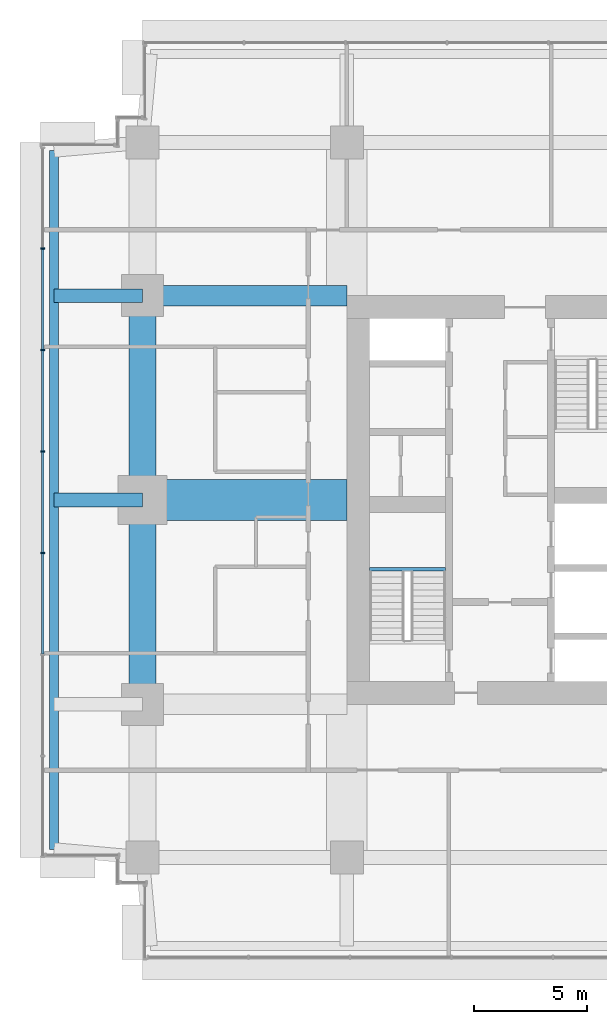
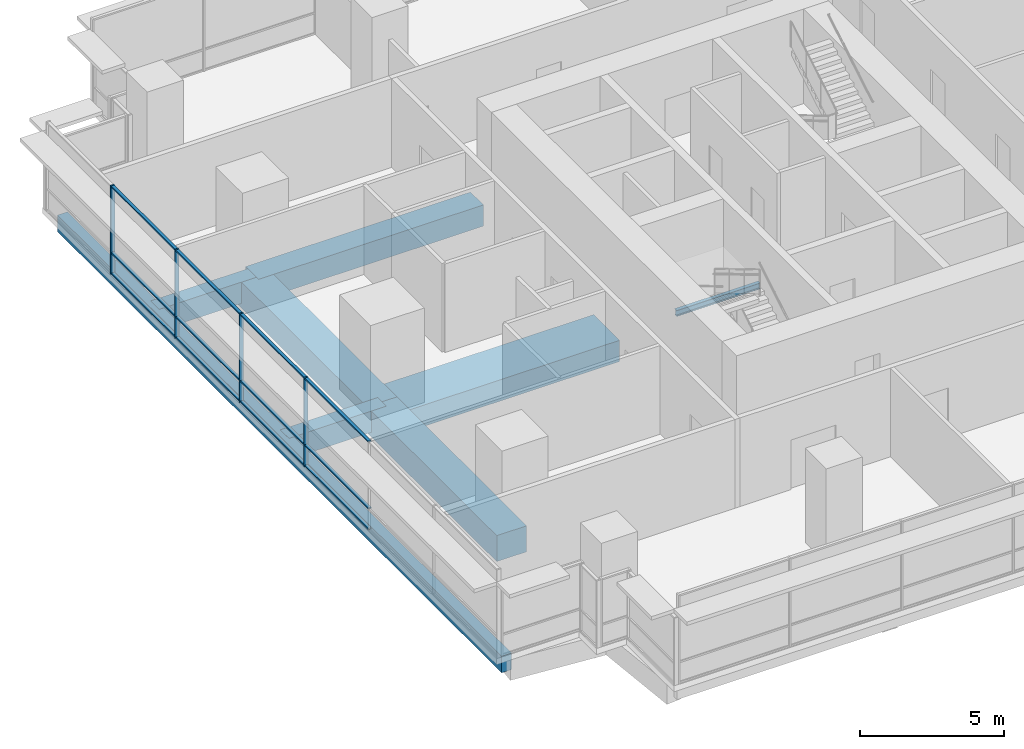
# One storey, part 4 of 14: 16 members, 8 beams, 1 element without a shape of its own.
"""IFC4 building model written with IfcOpenShell, lengths in metres."""

from ifc_helpers import new_model, si_unit, direction, frame, origin, origin_2d, place, context, subcontext, project, spatial, rectangle, i_section, extrude, material, layer, layer_set, material_profile, profile_set, type_object, element, aggregate, save


model = new_model("IFC4")

# Units and contexts
model_context = context("Model", 3, precision=1e-05, world=origin(), true_north=direction((0.0, 1.0)))
body_context = subcontext(model_context, "Body", "Model", "MODEL_VIEW")
ifc_project = project(units=[si_unit("LENGTHUNIT", "METRE"), si_unit("AREAUNIT", "SQUARE_METRE"), si_unit("VOLUMEUNIT", "CUBIC_METRE"), si_unit("PLANEANGLEUNIT", "RADIAN"), si_unit("MASSUNIT", "GRAM", prefix="KILO")], contexts=[model_context])

# Site, building, storey
site_placement = place(None, origin())
site = spatial("IfcSite", under=ifc_project, at=site_placement, CompositionType="ELEMENT")
building_placement = place(site_placement, origin())
building = spatial("IfcBuilding", under=site, at=building_placement, Name="Namib Vertical Campus", CompositionType="ELEMENT")
storey_placement = place(building_placement, frame((0.0, 0.0, 269.0)))
storey = spatial("IfcBuildingStorey", under=building, at=storey_placement, Name="L63", CompositionType="ELEMENT", Elevation=269.0)

# Beams
ifc_material_1 = material(Name="Concrete C40/50", Category="concrete")
ifc_material_profile_1 = material_profile(ifc_material_1, rectangle(XDim=0.60009765625, YDim=0.89990234375, at=origin_2d()))
ifc_profile_set_1 = profile_set([ifc_material_profile_1], Name="Concrete C40/50")
beam_type_1 = type_object("IfcBeamType", Name="Cantilever girder RC 600x900", PredefinedType="BEAM", material=ifc_profile_set_1)
for number, where, z_axis, x_axis, name in (
    (1, (4.5, 20.25, -0.699951171875), (-1.0, 0.0, 0.0), (0.0, -1.0, 0.0), "Beam B3 L63"),
    (2, (4.5, 29.25, -0.699951171875), (-1.0, 0.0, 0.0), (0.0, -1.0, 0.0), "Beam B3 L63"),
):
    element("IfcBeam", number, at=place(storey_placement, frame(where, z_axis=z_axis, x_axis=x_axis)), inside=storey, type_object=beam_type_1, Name=name, PredefinedType="BEAM", context=body_context, shape_type="SweptSolid", body=[
        extrude(rectangle(XDim=0.60009765625, YDim=0.89990234375, at=origin_2d()), origin(), (0.0, 0.0, 1.0), 3.89990234375),
    ])

# Curtain wall, members
ifc_material_2 = material(Name="Black aluminium curtain wall", Category="aluminium")
ifc_layer = layer(ifc_material_2, 0.199951171875)
ifc_layer_set = layer_set([ifc_layer], Name="Lounge bench curtain wall CW-LB")
curtain_wall_type = type_object("IfcCurtainWallType", Name="Lounge bench curtain wall CW-LB", PredefinedType="USERDEFINED", material=ifc_layer_set)
curtain_wall_placement = place(storey_placement, origin())
curtain_wall = element("IfcCurtainWall", 3, at=curtain_wall_placement, inside=storey, type_object=curtain_wall_type, Name="Curtain wall CW-LB L63 F16-1", ObjectType="CURTAIN WALL", PredefinedType="USERDEFINED")
ifc_material_3 = material(Name="Black anodised aluminium", Category="aluminium")
ifc_material_profile_2 = material_profile(ifc_material_3, rectangle(XDim=0.06005859375, YDim=0.159912109375, at=origin_2d()))
ifc_profile_set_2 = profile_set([ifc_material_profile_2], Name="Black anodised aluminium")
member_type_1 = type_object("IfcMemberType", Name="Curtain wall mullion 60x160", PredefinedType="MULLION", material=ifc_profile_set_2)
member_1_placement = place(storey_placement, frame((0.10009765625, 31.32861328125, 0.0), z_axis=(0.0, 0.0, 1.0), x_axis=(0.0, -1.0, 0.0)))
member_1 = element("IfcMember", 4, at=member_1_placement, type_object=member_type_1, Name="CW-LB mullion 2", PredefinedType="MULLION", context=body_context, shape_type="SweptSolid", body=[
    extrude(rectangle(XDim=0.06005859375, YDim=0.159912109375, at=origin_2d()), origin(), (0.0, 0.0, 1.0), 3.75),
])
member_2_placement = place(storey_placement, frame((0.10009765625, 26.857177734375, 0.0), z_axis=(0.0, 0.0, 1.0), x_axis=(0.0, -1.0, 0.0)))
member_2 = element("IfcMember", 5, at=member_2_placement, type_object=member_type_1, Name="CW-LB mullion 3", PredefinedType="MULLION", context=body_context, shape_type="SweptSolid", body=[
    extrude(rectangle(XDim=0.06005859375, YDim=0.159912109375, at=origin_2d()), origin(), (0.0, 0.0, 1.0), 3.75),
])
member_3_placement = place(storey_placement, frame((0.10009765625, 22.3857421875, 0.0), z_axis=(0.0, 0.0, 1.0), x_axis=(0.0, -1.0, 0.0)))
member_3 = element("IfcMember", 6, at=member_3_placement, type_object=member_type_1, Name="CW-LB mullion 4", PredefinedType="MULLION", context=body_context, shape_type="SweptSolid", body=[
    extrude(rectangle(XDim=0.06005859375, YDim=0.159912109375, at=origin_2d()), origin(), (0.0, 0.0, 1.0), 3.75),
])
member_4_placement = place(storey_placement, frame((0.10009765625, 17.914306640625, 0.0), z_axis=(0.0, 0.0, 1.0), x_axis=(0.0, -1.0, 0.0)))
member_4 = element("IfcMember", 7, at=member_4_placement, type_object=member_type_1, Name="CW-LB mullion 5", PredefinedType="MULLION", context=body_context, shape_type="SweptSolid", body=[
    extrude(rectangle(XDim=0.06005859375, YDim=0.159912109375, at=origin_2d()), origin(), (0.0, 0.0, 1.0), 3.75),
])
ifc_material_4 = material(Name="Black anodised aluminium", Category="aluminium")
ifc_material_profile_3 = material_profile(ifc_material_4, rectangle(XDim=0.06005859375, YDim=0.1201171875, at=origin_2d()))
ifc_profile_set_3 = profile_set([ifc_material_profile_3], Name="Black anodised aluminium")
member_type_2 = type_object("IfcMemberType", Name="Curtain wall transom 60x120", PredefinedType="USERDEFINED", material=ifc_profile_set_3)
member_5_placement = place(storey_placement, frame((0.10009765625, 31.298583984375, 0.030029296875), z_axis=(0.0, -1.0, 0.0), x_axis=(0.0, 0.0, 1.0)))
member_5 = element("IfcMember", 8, at=member_5_placement, type_object=member_type_2, Name="CW-LB transom 2.1", ObjectType="TRANSOM", PredefinedType="USERDEFINED", context=body_context, shape_type="SweptSolid", body=[
    extrude(rectangle(XDim=0.06005859375, YDim=0.1201171875, at=origin_2d()), origin(), (0.0, 0.0, 1.0), 4.411376953125),
])
member_6_placement = place(storey_placement, frame((0.10009765625, 31.298583984375, 0.89990234375), z_axis=(0.0, -1.0, 0.0), x_axis=(0.0, 0.0, 1.0)))
member_6 = element("IfcMember", 9, at=member_6_placement, type_object=member_type_2, Name="CW-LB transom 2.2", ObjectType="TRANSOM", PredefinedType="USERDEFINED", context=body_context, shape_type="SweptSolid", body=[
    extrude(rectangle(XDim=0.06005859375, YDim=0.1201171875, at=origin_2d()), origin(), (0.0, 0.0, 1.0), 4.411376953125),
])
member_7_placement = place(storey_placement, frame((0.10009765625, 31.298583984375, 3.719970703125), z_axis=(0.0, -1.0, 0.0), x_axis=(0.0, 0.0, 1.0)))
member_7 = element("IfcMember", 10, at=member_7_placement, type_object=member_type_2, Name="CW-LB transom 2.3", ObjectType="TRANSOM", PredefinedType="USERDEFINED", context=body_context, shape_type="SweptSolid", body=[
    extrude(rectangle(XDim=0.06005859375, YDim=0.1201171875, at=origin_2d()), origin(), (0.0, 0.0, 1.0), 4.411376953125),
])
member_8_placement = place(storey_placement, frame((0.10009765625, 26.8271484375, 0.030029296875), z_axis=(0.0, -1.0, 0.0), x_axis=(0.0, 0.0, 1.0)))
member_8 = element("IfcMember", 11, at=member_8_placement, type_object=member_type_2, Name="CW-LB transom 3.1", ObjectType="TRANSOM", PredefinedType="USERDEFINED", context=body_context, shape_type="SweptSolid", body=[
    extrude(rectangle(XDim=0.06005859375, YDim=0.1201171875, at=origin_2d()), origin(), (0.0, 0.0, 1.0), 4.411376953125),
])
member_9_placement = place(storey_placement, frame((0.10009765625, 26.8271484375, 0.89990234375), z_axis=(0.0, -1.0, 0.0), x_axis=(0.0, 0.0, 1.0)))
member_9 = element("IfcMember", 12, at=member_9_placement, type_object=member_type_2, Name="CW-LB transom 3.2", ObjectType="TRANSOM", PredefinedType="USERDEFINED", context=body_context, shape_type="SweptSolid", body=[
    extrude(rectangle(XDim=0.06005859375, YDim=0.1201171875, at=origin_2d()), origin(), (0.0, 0.0, 1.0), 4.411376953125),
])
member_10_placement = place(storey_placement, frame((0.10009765625, 26.8271484375, 3.719970703125), z_axis=(0.0, -1.0, 0.0), x_axis=(0.0, 0.0, 1.0)))
member_10 = element("IfcMember", 13, at=member_10_placement, type_object=member_type_2, Name="CW-LB transom 3.3", ObjectType="TRANSOM", PredefinedType="USERDEFINED", context=body_context, shape_type="SweptSolid", body=[
    extrude(rectangle(XDim=0.06005859375, YDim=0.1201171875, at=origin_2d()), origin(), (0.0, 0.0, 1.0), 4.411376953125),
])
member_11_placement = place(storey_placement, frame((0.10009765625, 22.355712890625, 0.030029296875), z_axis=(0.0, -1.0, 0.0), x_axis=(0.0, 0.0, 1.0)))
member_11 = element("IfcMember", 14, at=member_11_placement, type_object=member_type_2, Name="CW-LB transom 4.1", ObjectType="TRANSOM", PredefinedType="USERDEFINED", context=body_context, shape_type="SweptSolid", body=[
    extrude(rectangle(XDim=0.06005859375, YDim=0.1201171875, at=origin_2d()), origin(), (0.0, 0.0, 1.0), 4.411376953125),
])
member_12_placement = place(storey_placement, frame((0.10009765625, 22.355712890625, 0.89990234375), z_axis=(0.0, -1.0, 0.0), x_axis=(0.0, 0.0, 1.0)))
member_12 = element("IfcMember", 15, at=member_12_placement, type_object=member_type_2, Name="CW-LB transom 4.2", ObjectType="TRANSOM", PredefinedType="USERDEFINED", context=body_context, shape_type="SweptSolid", body=[
    extrude(rectangle(XDim=0.06005859375, YDim=0.1201171875, at=origin_2d()), origin(), (0.0, 0.0, 1.0), 4.411376953125),
])
member_13_placement = place(storey_placement, frame((0.10009765625, 22.355712890625, 3.719970703125), z_axis=(0.0, -1.0, 0.0), x_axis=(0.0, 0.0, 1.0)))
member_13 = element("IfcMember", 16, at=member_13_placement, type_object=member_type_2, Name="CW-LB transom 4.3", ObjectType="TRANSOM", PredefinedType="USERDEFINED", context=body_context, shape_type="SweptSolid", body=[
    extrude(rectangle(XDim=0.06005859375, YDim=0.1201171875, at=origin_2d()), origin(), (0.0, 0.0, 1.0), 4.411376953125),
])
member_14_placement = place(storey_placement, frame((0.10009765625, 17.88427734375, 0.030029296875), z_axis=(0.0, -1.0, 0.0), x_axis=(0.0, 0.0, 1.0)))
member_14 = element("IfcMember", 17, at=member_14_placement, type_object=member_type_2, Name="CW-LB transom 5.1", ObjectType="TRANSOM", PredefinedType="USERDEFINED", context=body_context, shape_type="SweptSolid", body=[
    extrude(rectangle(XDim=0.06005859375, YDim=0.1201171875, at=origin_2d()), origin(), (0.0, 0.0, 1.0), 4.411376953125),
])
member_15_placement = place(storey_placement, frame((0.10009765625, 17.88427734375, 0.89990234375), z_axis=(0.0, -1.0, 0.0), x_axis=(0.0, 0.0, 1.0)))
member_15 = element("IfcMember", 18, at=member_15_placement, type_object=member_type_2, Name="CW-LB transom 5.2", ObjectType="TRANSOM", PredefinedType="USERDEFINED", context=body_context, shape_type="SweptSolid", body=[
    extrude(rectangle(XDim=0.06005859375, YDim=0.1201171875, at=origin_2d()), origin(), (0.0, 0.0, 1.0), 4.411376953125),
])
member_16_placement = place(storey_placement, frame((0.10009765625, 17.88427734375, 3.719970703125), z_axis=(0.0, -1.0, 0.0), x_axis=(0.0, 0.0, 1.0)))
member_16 = element("IfcMember", 19, at=member_16_placement, type_object=member_type_2, Name="CW-LB transom 5.3", ObjectType="TRANSOM", PredefinedType="USERDEFINED", context=body_context, shape_type="SweptSolid", body=[
    extrude(rectangle(XDim=0.06005859375, YDim=0.1201171875, at=origin_2d()), origin(), (0.0, 0.0, 1.0), 4.411376953125),
])
aggregate(curtain_wall, [member_1, member_2, member_3, member_4, member_5, member_6, member_7, member_8, member_9, member_10, member_11, member_12, member_13, member_14, member_15, member_16])

# Beams
ifc_material_5 = material(Name="Concrete C40/50", Category="concrete")
ifc_material_profile_4 = material_profile(ifc_material_5, rectangle(XDim=0.39990234375, YDim=0.699951171875, at=origin_2d()))
ifc_profile_set_4 = profile_set([ifc_material_profile_4], Name="Concrete C40/50")
beam_type_2 = type_object("IfcBeamType", Name="Edge beam RC 400x700", PredefinedType="SPANDREL", material=ifc_profile_set_4)
beam_1_placement = place(storey_placement, frame((0.60009765625, 4.85009765625, -0.60009765625), z_axis=(0.0, 1.0, 0.0), x_axis=(-1.0, 0.0, 0.0)))
element("IfcBeam", 20, at=beam_1_placement, inside=storey, type_object=beam_type_2, Name="Beam B4 L63", PredefinedType="SPANDREL", context=body_context, shape_type="SweptSolid", body=[
    extrude(rectangle(XDim=0.39990234375, YDim=0.699951171875, at=origin_2d()), origin(), (0.0, 0.0, 1.0), 30.7998046875),
])
ifc_material_6 = material(Name="Concrete C40/50", Category="concrete")
ifc_material_profile_5 = material_profile(ifc_material_6, rectangle(XDim=0.89990234375, YDim=0.89990234375, at=origin_2d()))
ifc_profile_set_5 = profile_set([ifc_material_profile_5], Name="Concrete C40/50")
beam_type_3 = type_object("IfcBeamType", Name="Face girder RC 900x900", PredefinedType="BEAM", material=ifc_profile_set_5)
beam_2_placement = place(storey_placement, frame((4.5, 29.25, -0.699951171875), z_axis=(1.0, 0.0, 0.0), x_axis=(0.0, 1.0, 0.0)))
element("IfcBeam", 21, at=beam_2_placement, inside=storey, type_object=beam_type_3, Name="Beam B10 L63", PredefinedType="BEAM", context=body_context, shape_type="SweptSolid", body=[
    extrude(rectangle(XDim=0.89990234375, YDim=0.89990234375, at=origin_2d()), origin(), (0.0, 0.0, 1.0), 9.0),
])
ifc_material_7 = material(Name="Concrete C40/50", Category="concrete")
ifc_material_profile_6 = material_profile(ifc_material_7, rectangle(XDim=1.199951171875, YDim=1.10009765625, at=origin_2d()))
ifc_profile_set_6 = profile_set([ifc_material_profile_6], Name="Concrete C40/50")
beam_type_4 = type_object("IfcBeamType", Name="Face ring beam RC 1200x1100", PredefinedType="BEAM", material=ifc_profile_set_6)
for number, where, z_axis, x_axis, name in (
    (22, (4.5, 11.25, -0.800048828125), (0.0, 1.0, 0.0), (-1.0, 0.0, 0.0), "Beam B11 L63"),
    (23, (4.5, 20.25, -0.800048828125), (0.0, 1.0, 0.0), (-1.0, 0.0, 0.0), "Beam B11 L63"),
):
    element("IfcBeam", number, at=place(storey_placement, frame(where, z_axis=z_axis, x_axis=x_axis)), inside=storey, type_object=beam_type_4, Name=name, PredefinedType="BEAM", context=body_context, shape_type="SweptSolid", body=[
        extrude(rectangle(XDim=1.199951171875, YDim=1.10009765625, at=origin_2d()), origin(), (0.0, 0.0, 1.0), 9.0),
    ])
ifc_material_8 = material(Name="Steel S355JR", Category="steel")
ifc_material_profile_7 = material_profile(ifc_material_8, i_section(OverallWidth=0.14599609375, OverallDepth=0.25146484375, WebThickness=0.006103515625, FlangeThickness=0.008544921875, FilletRadius=0.007568359375, at=origin_2d()))
ifc_profile_set_7 = profile_set([ifc_material_profile_7], Name="Steel S355JR")
beam_type_5 = type_object("IfcBeamType", Name="Landing trimmer UB 254x146x31", PredefinedType="BEAM", material=ifc_profile_set_7)
beam_3_placement = place(storey_placement, frame((14.5, 17.203125, 1.874267578125), z_axis=(1.0, 0.0, 0.0), x_axis=(0.0, 1.0, 0.0)))
element("IfcBeam", 24, at=beam_3_placement, inside=storey, type_object=beam_type_5, Name="Landing trimmer LT1 A-S1 L63 2", PredefinedType="BEAM", context=body_context, shape_type="SweptSolid", body=[
    extrude(i_section(OverallWidth=0.14599609375, OverallDepth=0.25146484375, WebThickness=0.006103515625, FlangeThickness=0.008544921875, FilletRadius=0.007568359375, at=origin_2d()), origin(), (0.0, 0.0, 1.0), 3.35009765625),
])
ifc_material_9 = material(Name="Concrete C40/50", Category="concrete")
ifc_material_profile_8 = material_profile(ifc_material_9, rectangle(XDim=1.800048828125, YDim=0.89990234375, at=origin_2d()))
ifc_profile_set_8 = profile_set([ifc_material_profile_8], Name="Concrete C40/50")
beam_type_6 = type_object("IfcBeamType", Name="Outrigger line girder RC 1800x900", PredefinedType="BEAM", material=ifc_profile_set_8)
beam_4_placement = place(storey_placement, frame((4.5, 20.25, -0.699951171875), z_axis=(1.0, 0.0, 0.0), x_axis=(0.0, 1.0, 0.0)))
element("IfcBeam", 25, at=beam_4_placement, inside=storey, type_object=beam_type_6, Name="Beam B12 L63", PredefinedType="BEAM", context=body_context, shape_type="SweptSolid", body=[
    extrude(rectangle(XDim=1.800048828125, YDim=0.89990234375, at=origin_2d()), origin(), (0.0, 0.0, 1.0), 9.0),
])

save(model, "model.ifc")
